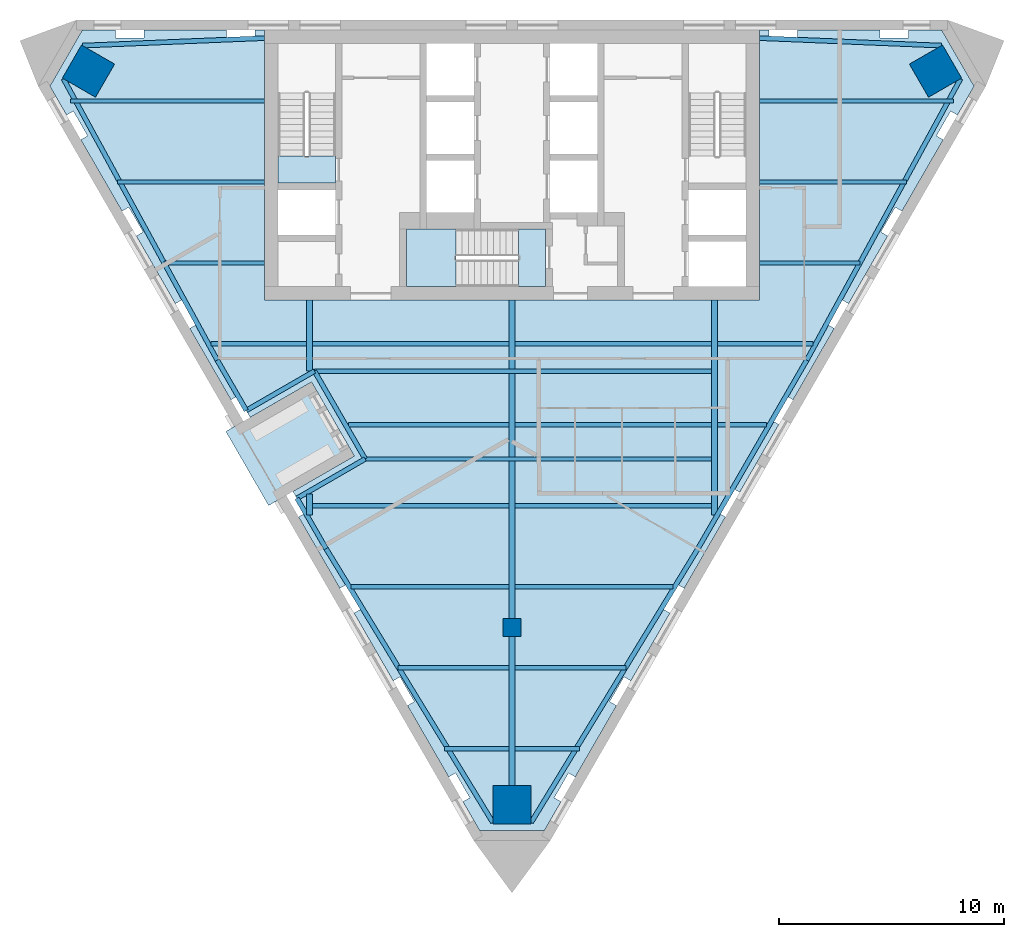
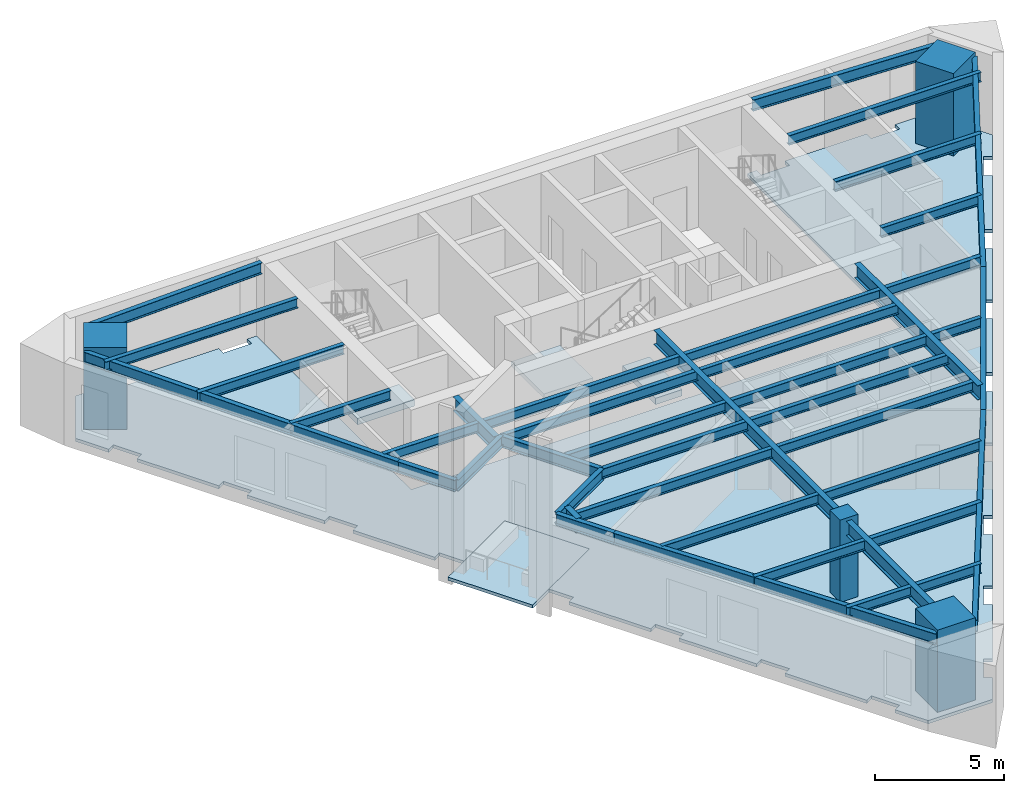
# One storey, part 1 of 6: 40 beams, 5 slabs, 4 columns, 1 element without a shape of its own.
"""IFC4 building model written with IfcOpenShell, lengths in metres."""

from ifc_helpers import new_model, si_unit, direction, frame, origin, origin_2d, place, context, subcontext, project, spatial, polyline, rectangle, i_section, outline, extrude, material, layer, layer_set, material_profile, profile_set, type_object, element, aggregate, save


model = new_model("IFC4")

# Units and contexts
model_context = context("Model", 3, precision=1e-05, world=origin(), true_north=direction((0.0, 1.0)))
body_context = subcontext(model_context, "Body", "Model", "MODEL_VIEW")
ifc_project = project(units=[si_unit("LENGTHUNIT", "METRE"), si_unit("AREAUNIT", "SQUARE_METRE"), si_unit("VOLUMEUNIT", "CUBIC_METRE"), si_unit("PLANEANGLEUNIT", "RADIAN"), si_unit("MASSUNIT", "GRAM", prefix="KILO")], contexts=[model_context])

# Site, building, storey
site_placement = place(None, origin())
site = spatial("IfcSite", under=ifc_project, at=site_placement, CompositionType="ELEMENT")
building_placement = place(site_placement, origin())
building = spatial("IfcBuilding", under=site, at=building_placement, Name="Aloe Facet Convention Tower", CompositionType="ELEMENT")
storey_placement = place(building_placement, frame((0.0, 0.0, 199.699951171875)))
storey = spatial("IfcBuildingStorey", under=building, at=storey_placement, Name="L50", CompositionType="ELEMENT", Elevation=199.699951171875)

# Columns
ifc_material_1 = material(Name="Concrete C70/85", Category="concrete")
ifc_material_profile_1 = material_profile(ifc_material_1, rectangle(XDim=0.800048828125, YDim=0.800048828125, at=origin_2d()), Name="SF-GC-Z4")
ifc_profile_set_1 = profile_set([ifc_material_profile_1], Name="Concrete C70/85")
column_type_1 = type_object("IfcColumnType", Name="SF-GC-Z4", PredefinedType="COLUMN", material=ifc_profile_set_1)
column_placement = place(storey_placement, frame((80.0, 108.0, 0.0), z_axis=(0.0, 0.0, 1.0), x_axis=(1.0, 0.0, 0.0)))
element("IfcColumn", 1, at=column_placement, inside=storey, type_object=column_type_1, Name="Gravity column GC-Z4-9D", PredefinedType="COLUMN", context=body_context, shape_type="SweptSolid", body=[
    extrude(rectangle(XDim=0.800048828125, YDim=0.800048828125, at=origin_2d()), origin(), (0.0, 0.0, 1.0), 3.900146484375),
])
ifc_material_2 = material(Name="Concrete C80/95", Category="concrete")
ifc_material_profile_2 = material_profile(ifc_material_2, rectangle(XDim=1.699951171875, YDim=1.699951171875, at=origin_2d()), Name="STW-MC-Z4")
ifc_profile_set_2 = profile_set([ifc_material_profile_2], Name="Concrete C80/95")
column_type_2 = type_object("IfcColumnType", Name="STW-MC-Z4", PredefinedType="COLUMN", material=ifc_profile_set_2)
for number, where, z_axis, x_axis, name in (
    (2, (98.828857421875, 132.727783203125, 0.0), (0.0, 0.0, 1.0), (-0.5, 0.866025403784, 0.0), "Mega-column MC-NE-L50"),
    (3, (61.171142578125, 132.727783203125, 0.0), (0.0, 0.0, 1.0), (-0.5, -0.866025403784, 0.0), "Mega-column MC-NW-L50"),
    (4, (80.0, 100.114990234375, 0.0), (0.0, 0.0, 1.0), (1.0, 0.0, 0.0), "Mega-column MC-S-L50"),
):
    element("IfcColumn", number, at=place(storey_placement, frame(where, z_axis=z_axis, x_axis=x_axis)), inside=storey, type_object=column_type_2, Name=name, PredefinedType="COLUMN", context=body_context, shape_type="SweptSolid", body=[
        extrude(rectangle(XDim=1.699951171875, YDim=1.699951171875, at=origin_2d()), origin(), (0.0, 0.0, 1.0), 3.900146484375),
    ])

# Beams
ifc_material_3 = material(Name="Steel S355", Category="steel")
ifc_material_profile_3 = material_profile(ifc_material_3, i_section(OverallWidth=0.19140625, OverallDepth=0.4599609375, WebThickness=0.010009765625, FlangeThickness=0.01611328125, FilletRadius=0.01025390625, at=origin_2d()), Name="UB 457x191x82")
ifc_profile_set_3 = profile_set([ifc_material_profile_3], Name="Steel S355")
beam_type_1 = type_object("IfcBeamType", Name="SF-B-UB457x191x82", PredefinedType="BEAM", material=ifc_profile_set_3)
beam_1_placement = place(storey_placement, frame((60.373779296875, 131.39990234375, 3.52001953125), z_axis=(1.0, 0.0, 0.0), x_axis=(0.0, 1.0, 0.0)))
element("IfcBeam", 5, at=beam_1_placement, inside=storey, type_object=beam_type_1, Name="Floor beam FB-Z4F-018", PredefinedType="BEAM", context=body_context, shape_type="SweptSolid", body=[
    extrude(i_section(OverallWidth=0.19140625, OverallDepth=0.4599609375, WebThickness=0.010009765625, FlangeThickness=0.01611328125, FilletRadius=0.01025390625, at=origin_2d()), origin(), (0.0, 0.0, 1.0), 8.626220703125),
])
beam_2_placement = place(storey_placement, frame((62.452392578125, 127.800048828125, 3.52001953125), z_axis=(1.0, 0.0, 0.0), x_axis=(0.0, 1.0, 0.0)))
element("IfcBeam", 6, at=beam_2_placement, inside=storey, type_object=beam_type_1, Name="Floor beam FB-Z4F-019", PredefinedType="BEAM", context=body_context, shape_type="SweptSolid", body=[
    extrude(i_section(OverallWidth=0.19140625, OverallDepth=0.4599609375, WebThickness=0.010009765625, FlangeThickness=0.01611328125, FilletRadius=0.01025390625, at=origin_2d()), origin(), (0.0, 0.0, 1.0), 6.547607421875),
])
beam_3_placement = place(storey_placement, frame((64.53076171875, 124.199951171875, 3.52001953125), z_axis=(1.0, 0.0, 0.0), x_axis=(0.0, 1.0, 0.0)))
element("IfcBeam", 7, at=beam_3_placement, inside=storey, type_object=beam_type_1, Name="Floor beam FB-Z4F-020", PredefinedType="BEAM", context=body_context, shape_type="SweptSolid", body=[
    extrude(i_section(OverallWidth=0.19140625, OverallDepth=0.4599609375, WebThickness=0.010009765625, FlangeThickness=0.01611328125, FilletRadius=0.01025390625, at=origin_2d()), origin(), (0.0, 0.0, 1.0), 4.46923828125),
])
beam_4_placement = place(storey_placement, frame((66.609130859375, 120.60009765625, 3.52001953125), z_axis=(1.0, 0.0, 0.0), x_axis=(0.0, 1.0, 0.0)))
element("IfcBeam", 8, at=beam_4_placement, inside=storey, type_object=beam_type_1, Name="Floor beam FB-Z4F-021", PredefinedType="BEAM", context=body_context, shape_type="SweptSolid", body=[
    extrude(i_section(OverallWidth=0.19140625, OverallDepth=0.4599609375, WebThickness=0.010009765625, FlangeThickness=0.01611328125, FilletRadius=0.01025390625, at=origin_2d()), origin(), (0.0, 0.0, 1.0), 4.264404296875),
])
for number, where, z_axis, x_axis, name in (
    (9, (71.12646484375, 113.39990234375, 3.52001953125), (1.0, 0.0, 0.0), (0.0, 1.0, 0.0), "Floor beam FB-Z4F-022"),
    (10, (71.12646484375, 120.60009765625, 3.52001953125), (1.0, 0.0, 0.0), (0.0, 1.0, 0.0), "Floor beam FB-Z4F-023"),
):
    element("IfcBeam", number, at=place(storey_placement, frame(where, z_axis=z_axis, x_axis=x_axis)), inside=storey, type_object=beam_type_1, Name=name, PredefinedType="BEAM", context=body_context, shape_type="SweptSolid", body=[
        extrude(i_section(OverallWidth=0.19140625, OverallDepth=0.4599609375, WebThickness=0.010009765625, FlangeThickness=0.01611328125, FilletRadius=0.01025390625, at=origin_2d()), origin(), (0.0, 0.0, 1.0), 8.7470703125),
    ])
beam_5_placement = place(storey_placement, frame((71.21826171875, 119.39013671875, 3.52001953125), z_axis=(1.0, 0.0, 0.0), x_axis=(0.0, 1.0, 0.0)))
element("IfcBeam", 11, at=beam_5_placement, inside=storey, type_object=beam_type_1, Name="Floor beam FB-Z4F-024", PredefinedType="BEAM", context=body_context, shape_type="SweptSolid", body=[
    extrude(i_section(OverallWidth=0.19140625, OverallDepth=0.4599609375, WebThickness=0.010009765625, FlangeThickness=0.01611328125, FilletRadius=0.01025390625, at=origin_2d()), origin(), (0.0, 0.0, 1.0), 17.78173828125),
])
beam_6_placement = place(storey_placement, frame((72.72900390625, 117.0, 3.52001953125), z_axis=(1.0, 0.0, 0.0), x_axis=(0.0, 1.0, 0.0)))
element("IfcBeam", 12, at=beam_6_placement, inside=storey, type_object=beam_type_1, Name="Floor beam FB-Z4F-025", PredefinedType="BEAM", context=body_context, shape_type="SweptSolid", body=[
    extrude(i_section(OverallWidth=0.19140625, OverallDepth=0.4599609375, WebThickness=0.010009765625, FlangeThickness=0.01611328125, FilletRadius=0.01025390625, at=origin_2d()), origin(), (0.0, 0.0, 1.0), 7.14453125),
])
beam_7_placement = place(storey_placement, frame((72.844482421875, 109.800048828125, 3.52001953125), z_axis=(1.0, 0.0, 0.0), x_axis=(0.0, 1.0, 0.0)))
element("IfcBeam", 13, at=beam_7_placement, inside=storey, type_object=beam_type_1, Name="Floor beam FB-Z4F-026", PredefinedType="BEAM", context=body_context, shape_type="SweptSolid", body=[
    extrude(i_section(OverallWidth=0.19140625, OverallDepth=0.4599609375, WebThickness=0.010009765625, FlangeThickness=0.01611328125, FilletRadius=0.01025390625, at=origin_2d()), origin(), (0.0, 0.0, 1.0), 7.029052734375),
])
beam_8_placement = place(storey_placement, frame((73.472900390625, 115.485107421875, 3.52001953125), z_axis=(1.0, 0.0, 0.0), x_axis=(0.0, 1.0, 0.0)))
element("IfcBeam", 14, at=beam_8_placement, inside=storey, type_object=beam_type_1, Name="Floor beam FB-Z4F-027", PredefinedType="BEAM", context=body_context, shape_type="SweptSolid", body=[
    extrude(i_section(OverallWidth=0.19140625, OverallDepth=0.4599609375, WebThickness=0.010009765625, FlangeThickness=0.01611328125, FilletRadius=0.01025390625, at=origin_2d()), origin(), (0.0, 0.0, 1.0), 15.527099609375),
])
beam_9_placement = place(storey_placement, frame((74.923095703125, 106.199951171875, 3.52001953125), z_axis=(1.0, 0.0, 0.0), x_axis=(0.0, 1.0, 0.0)))
element("IfcBeam", 15, at=beam_9_placement, inside=storey, type_object=beam_type_1, Name="Floor beam FB-Z4F-028", PredefinedType="BEAM", context=body_context, shape_type="SweptSolid", body=[
    extrude(i_section(OverallWidth=0.19140625, OverallDepth=0.4599609375, WebThickness=0.010009765625, FlangeThickness=0.01611328125, FilletRadius=0.01025390625, at=origin_2d()), origin(), (0.0, 0.0, 1.0), 4.950439453125),
])
for number, where, z_axis, x_axis, name in (
    (16, (77.00146484375, 102.60009765625, 3.52001953125), (1.0, 0.0, 0.0), (0.0, 1.0, 0.0), "Floor beam FB-Z4F-029"),
    (17, (80.12646484375, 102.60009765625, 3.52001953125), (1.0, 0.0, 0.0), (0.0, 1.0, 0.0), "Floor beam FB-Z4F-030"),
):
    element("IfcBeam", number, at=place(storey_placement, frame(where, z_axis=z_axis, x_axis=x_axis)), inside=storey, type_object=beam_type_1, Name=name, PredefinedType="BEAM", context=body_context, shape_type="SweptSolid", body=[
        extrude(i_section(OverallWidth=0.19140625, OverallDepth=0.4599609375, WebThickness=0.010009765625, FlangeThickness=0.01611328125, FilletRadius=0.01025390625, at=origin_2d()), origin(), (0.0, 0.0, 1.0), 2.8720703125),
    ])
beam_10_placement = place(storey_placement, frame((80.12646484375, 106.199951171875, 3.52001953125), z_axis=(1.0, 0.0, 0.0), x_axis=(0.0, 1.0, 0.0)))
element("IfcBeam", 18, at=beam_10_placement, inside=storey, type_object=beam_type_1, Name="Floor beam FB-Z4F-031", PredefinedType="BEAM", context=body_context, shape_type="SweptSolid", body=[
    extrude(i_section(OverallWidth=0.19140625, OverallDepth=0.4599609375, WebThickness=0.010009765625, FlangeThickness=0.01611328125, FilletRadius=0.01025390625, at=origin_2d()), origin(), (0.0, 0.0, 1.0), 4.950439453125),
])
beam_11_placement = place(storey_placement, frame((80.12646484375, 109.800048828125, 3.52001953125), z_axis=(1.0, 0.0, 0.0), x_axis=(0.0, 1.0, 0.0)))
element("IfcBeam", 19, at=beam_11_placement, inside=storey, type_object=beam_type_1, Name="Floor beam FB-Z4F-032", PredefinedType="BEAM", context=body_context, shape_type="SweptSolid", body=[
    extrude(i_section(OverallWidth=0.19140625, OverallDepth=0.4599609375, WebThickness=0.010009765625, FlangeThickness=0.01611328125, FilletRadius=0.01025390625, at=origin_2d()), origin(), (0.0, 0.0, 1.0), 7.029052734375),
])
for number, where, z_axis, x_axis, name in (
    (20, (80.12646484375, 113.39990234375, 3.52001953125), (1.0, 0.0, 0.0), (0.0, 1.0, 0.0), "Floor beam FB-Z4F-033"),
    (21, (80.12646484375, 117.0, 3.52001953125), (1.0, 0.0, 0.0), (0.0, 1.0, 0.0), "Floor beam FB-Z4F-034"),
    (22, (80.12646484375, 120.60009765625, 3.52001953125), (1.0, 0.0, 0.0), (0.0, 1.0, 0.0), "Floor beam FB-Z4F-035"),
):
    element("IfcBeam", number, at=place(storey_placement, frame(where, z_axis=z_axis, x_axis=x_axis)), inside=storey, type_object=beam_type_1, Name=name, PredefinedType="BEAM", context=body_context, shape_type="SweptSolid", body=[
        extrude(i_section(OverallWidth=0.19140625, OverallDepth=0.4599609375, WebThickness=0.010009765625, FlangeThickness=0.01611328125, FilletRadius=0.01025390625, at=origin_2d()), origin(), (0.0, 0.0, 1.0), 8.7470703125),
    ])
beam_12_placement = place(storey_placement, frame((89.12646484375, 117.0, 3.52001953125), z_axis=(1.0, 0.0, 0.0), x_axis=(0.0, 1.0, 0.0)))
element("IfcBeam", 23, at=beam_12_placement, inside=storey, type_object=beam_type_1, Name="Floor beam FB-Z4F-036", PredefinedType="BEAM", context=body_context, shape_type="SweptSolid", body=[
    extrude(i_section(OverallWidth=0.19140625, OverallDepth=0.4599609375, WebThickness=0.010009765625, FlangeThickness=0.01611328125, FilletRadius=0.01025390625, at=origin_2d()), origin(), (0.0, 0.0, 1.0), 2.185791015625),
])
beam_13_placement = place(storey_placement, frame((89.12646484375, 120.60009765625, 3.52001953125), z_axis=(1.0, 0.0, 0.0), x_axis=(0.0, 1.0, 0.0)))
element("IfcBeam", 24, at=beam_13_placement, inside=storey, type_object=beam_type_1, Name="Floor beam FB-Z4F-037", PredefinedType="BEAM", context=body_context, shape_type="SweptSolid", body=[
    extrude(i_section(OverallWidth=0.19140625, OverallDepth=0.4599609375, WebThickness=0.010009765625, FlangeThickness=0.01611328125, FilletRadius=0.01025390625, at=origin_2d()), origin(), (0.0, 0.0, 1.0), 4.264404296875),
])
beam_14_placement = place(storey_placement, frame((91.0, 124.199951171875, 3.52001953125), z_axis=(1.0, 0.0, 0.0), x_axis=(0.0, 1.0, 0.0)))
element("IfcBeam", 25, at=beam_14_placement, inside=storey, type_object=beam_type_1, Name="Floor beam FB-Z4F-038", PredefinedType="BEAM", context=body_context, shape_type="SweptSolid", body=[
    extrude(i_section(OverallWidth=0.19140625, OverallDepth=0.4599609375, WebThickness=0.010009765625, FlangeThickness=0.01611328125, FilletRadius=0.01025390625, at=origin_2d()), origin(), (0.0, 0.0, 1.0), 4.46923828125),
])
beam_15_placement = place(storey_placement, frame((91.0, 127.800048828125, 3.52001953125), z_axis=(1.0, 0.0, 0.0), x_axis=(0.0, 1.0, 0.0)))
element("IfcBeam", 26, at=beam_15_placement, inside=storey, type_object=beam_type_1, Name="Floor beam FB-Z4F-039", PredefinedType="BEAM", context=body_context, shape_type="SweptSolid", body=[
    extrude(i_section(OverallWidth=0.19140625, OverallDepth=0.4599609375, WebThickness=0.010009765625, FlangeThickness=0.01611328125, FilletRadius=0.01025390625, at=origin_2d()), origin(), (0.0, 0.0, 1.0), 6.547607421875),
])
beam_16_placement = place(storey_placement, frame((91.0, 131.39990234375, 3.52001953125), z_axis=(1.0, 0.0, 0.0), x_axis=(0.0, 1.0, 0.0)))
element("IfcBeam", 27, at=beam_16_placement, inside=storey, type_object=beam_type_1, Name="Floor beam FB-Z4F-040", PredefinedType="BEAM", context=body_context, shape_type="SweptSolid", body=[
    extrude(i_section(OverallWidth=0.19140625, OverallDepth=0.4599609375, WebThickness=0.010009765625, FlangeThickness=0.01611328125, FilletRadius=0.01025390625, at=origin_2d()), origin(), (0.0, 0.0, 1.0), 8.626220703125),
])
ifc_material_4 = material(Name="Steel S355", Category="steel")
ifc_material_profile_4 = material_profile(ifc_material_4, i_section(OverallWidth=0.209228515625, OverallDepth=0.533203125, WebThickness=0.010009765625, FlangeThickness=0.015625, FilletRadius=0.0126953125, at=origin_2d()), Name="UB 533x210x92")
ifc_profile_set_4 = profile_set([ifc_material_profile_4], Name="Steel S355")
beam_type_2 = type_object("IfcBeamType", Name="SF-B-UB533x210x92", PredefinedType="BEAM", material=ifc_profile_set_4)
beam_17_placement = place(storey_placement, frame((60.9072265625, 133.861572265625, 3.4833984375), z_axis=(0.999150743543, 0.041204267721, 0.0), x_axis=(-0.041204267721, 0.999150743543, 0.0)))
element("IfcBeam", 28, at=beam_17_placement, inside=storey, type_object=beam_type_2, Name="Floor beam FB-Z4F-001", PredefinedType="BEAM", context=body_context, shape_type="SweptSolid", body=[
    extrude(i_section(OverallWidth=0.209228515625, OverallDepth=0.533203125, WebThickness=0.010009765625, FlangeThickness=0.015625, FilletRadius=0.0126953125, at=origin_2d()), origin(), (0.0, 0.0, 1.0), 8.099609375),
])
beam_18_placement = place(storey_placement, frame((66.89404296875, 119.880126953125, 3.4833984375), z_axis=(-0.479591097698, 0.877492096266, 0.0), x_axis=(-0.877492096266, -0.479591097698, 0.0)))
element("IfcBeam", 29, at=beam_18_placement, inside=storey, type_object=beam_type_2, Name="Floor beam FB-Z4F-002", PredefinedType="BEAM", context=body_context, shape_type="SweptSolid", body=[
    extrude(i_section(OverallWidth=0.209228515625, OverallDepth=0.533203125, WebThickness=0.010009765625, FlangeThickness=0.015625, FilletRadius=0.0126953125, at=origin_2d()), origin(), (0.0, 0.0, 1.0), 14.255615234375),
])
beam_19_placement = place(storey_placement, frame((68.187255859375, 117.64013671875, 3.4833984375), z_axis=(-0.499986639918, 0.866033117094, 0.0), x_axis=(-0.866033117094, -0.499986639918, 0.0)))
element("IfcBeam", 30, at=beam_19_placement, inside=storey, type_object=beam_type_2, Name="Floor beam FB-Z4F-003", PredefinedType="BEAM", context=body_context, shape_type="SweptSolid", body=[
    extrude(i_section(OverallWidth=0.209228515625, OverallDepth=0.533203125, WebThickness=0.010009765625, FlangeThickness=0.015625, FilletRadius=0.0126953125, at=origin_2d()), origin(), (0.0, 0.0, 1.0), 2.58642578125),
])
for number, where, z_axis, x_axis, name in (
    (31, (70.44189453125, 113.735107421875, 3.4833984375), (0.866019471182, 0.500010275428, 0.0), (-0.500010275428, 0.866019471182, 0.0), "Floor beam FB-Z4F-004"),
    (32, (71.21826171875, 119.39013671875, 3.4833984375), (-0.866019471182, -0.500010275428, 0.0), (0.500010275428, -0.866019471182, 0.0), "Floor beam FB-Z4F-005"),
):
    element("IfcBeam", number, at=place(storey_placement, frame(where, z_axis=z_axis, x_axis=x_axis)), inside=storey, type_object=beam_type_2, Name=name, PredefinedType="BEAM", context=body_context, shape_type="SweptSolid", body=[
        extrude(i_section(OverallWidth=0.209228515625, OverallDepth=0.533203125, WebThickness=0.010009765625, FlangeThickness=0.015625, FilletRadius=0.0126953125, at=origin_2d()), origin(), (0.0, 0.0, 1.0), 3.5),
    ])
beam_20_placement = place(storey_placement, frame((71.735107421875, 111.4951171875, 3.4833984375), z_axis=(-0.499986639918, 0.866033117094, 0.0), x_axis=(-0.866033117094, -0.499986639918, 0.0)))
element("IfcBeam", 33, at=beam_20_placement, inside=storey, type_object=beam_type_2, Name="Floor beam FB-Z4F-006", PredefinedType="BEAM", context=body_context, shape_type="SweptSolid", body=[
    extrude(i_section(OverallWidth=0.209228515625, OverallDepth=0.533203125, WebThickness=0.010009765625, FlangeThickness=0.015625, FilletRadius=0.0126953125, at=origin_2d()), origin(), (0.0, 0.0, 1.0), 2.58642578125),
])
beam_21_placement = place(storey_placement, frame((73.472900390625, 115.485107421875, 3.4833984375), z_axis=(-0.500011469263, 0.866018781901, 0.0), x_axis=(-0.866018781901, -0.500011469263, 0.0)))
element("IfcBeam", 34, at=beam_21_placement, inside=storey, type_object=beam_type_2, Name="Floor beam FB-Z4F-007", PredefinedType="BEAM", context=body_context, shape_type="SweptSolid", body=[
    extrude(i_section(OverallWidth=0.209228515625, OverallDepth=0.533203125, WebThickness=0.010009765625, FlangeThickness=0.015625, FilletRadius=0.0126953125, at=origin_2d()), origin(), (0.0, 0.0, 1.0), 4.50927734375),
])
for number, where, z_axis, x_axis, name in (
    (35, (79.14990234375, 99.319580078125, 3.4833984375), (-0.520131115149, 0.854086425986, 0.0), (-0.854086425986, -0.520131115149, 0.0), "Floor beam FB-Z4F-008"),
    (36, (88.264892578125, 111.4951171875, 3.4833984375), (-0.520131115149, -0.854086425986, 0.0), (0.854086425986, -0.520131115149, 0.0), "Floor beam FB-Z4F-009"),
):
    element("IfcBeam", number, at=place(storey_placement, frame(where, z_axis=z_axis, x_axis=x_axis)), inside=storey, type_object=beam_type_2, Name=name, PredefinedType="BEAM", context=body_context, shape_type="SweptSolid", body=[
        extrude(i_section(OverallWidth=0.209228515625, OverallDepth=0.533203125, WebThickness=0.010009765625, FlangeThickness=0.015625, FilletRadius=0.0126953125, at=origin_2d()), origin(), (0.0, 0.0, 1.0), 14.255615234375),
    ])
beam_22_placement = place(storey_placement, frame((91.0, 134.1953125, 3.4833984375), z_axis=(0.999150743543, -0.041204267721, 0.0), x_axis=(0.041204267721, 0.999150743543, 0.0)))
element("IfcBeam", 37, at=beam_22_placement, inside=storey, type_object=beam_type_2, Name="Floor beam FB-Z4F-010", PredefinedType="BEAM", context=body_context, shape_type="SweptSolid", body=[
    extrude(i_section(OverallWidth=0.209228515625, OverallDepth=0.533203125, WebThickness=0.010009765625, FlangeThickness=0.015625, FilletRadius=0.0126953125, at=origin_2d()), origin(), (0.0, 0.0, 1.0), 8.099609375),
])
beam_23_placement = place(storey_placement, frame((93.10595703125, 119.880126953125, 3.4833984375), z_axis=(-0.499998203483, -0.866026441002, 0.0), x_axis=(0.866026441002, -0.499998203483, 0.0)))
element("IfcBeam", 38, at=beam_23_placement, inside=storey, type_object=beam_type_2, Name="Floor beam FB-Z4F-011", PredefinedType="BEAM", context=body_context, shape_type="SweptSolid", body=[
    extrude(i_section(OverallWidth=0.209228515625, OverallDepth=0.533203125, WebThickness=0.010009765625, FlangeThickness=0.015625, FilletRadius=0.0126953125, at=origin_2d()), origin(), (0.0, 0.0, 1.0), 9.68212890625),
])
beam_24_placement = place(storey_placement, frame((99.94287109375, 132.389404296875, 3.4833984375), z_axis=(-0.479591097698, -0.877492096266, 0.0), x_axis=(0.877492096266, -0.479591097698, 0.0)))
element("IfcBeam", 39, at=beam_24_placement, inside=storey, type_object=beam_type_2, Name="Floor beam FB-Z4F-012", PredefinedType="BEAM", context=body_context, shape_type="SweptSolid", body=[
    extrude(i_section(OverallWidth=0.209228515625, OverallDepth=0.533203125, WebThickness=0.010009765625, FlangeThickness=0.015625, FilletRadius=0.0126953125, at=origin_2d()), origin(), (0.0, 0.0, 1.0), 14.255615234375),
])
ifc_material_5 = material(Name="Steel S355", Category="steel")
ifc_material_profile_5 = material_profile(ifc_material_5, i_section(OverallWidth=0.2529296875, OverallDepth=0.677978515625, WebThickness=0.01171875, FlangeThickness=0.01611328125, FilletRadius=0.01513671875, at=origin_2d()), Name="UB 686x254x125")
ifc_profile_set_5 = profile_set([ifc_material_profile_5], Name="Steel S355")
beam_type_3 = type_object("IfcBeamType", Name="SF-B-UB686x254x125", PredefinedType="BEAM", material=ifc_profile_set_5)
beam_25_placement = place(storey_placement, frame((71.0, 113.926513671875, 3.4111328125), z_axis=(0.0, -1.0, 0.0), x_axis=(1.0, 0.0, 0.0)))
element("IfcBeam", 40, at=beam_25_placement, inside=storey, type_object=beam_type_3, Name="Floor beam FB-Z4F-013", PredefinedType="BEAM", context=body_context, shape_type="SweptSolid", body=[
    extrude(i_section(OverallWidth=0.2529296875, OverallDepth=0.677978515625, WebThickness=0.01171875, FlangeThickness=0.01611328125, FilletRadius=0.01513671875, at=origin_2d()), origin(), (0.0, 0.0, 1.0), 0.93896484375),
])
beam_26_placement = place(storey_placement, frame((71.0, 122.550048828125, 3.4111328125), z_axis=(0.0, -1.0, 0.0), x_axis=(1.0, 0.0, 0.0)))
element("IfcBeam", 41, at=beam_26_placement, inside=storey, type_object=beam_type_3, Name="Floor beam FB-Z4F-014", PredefinedType="BEAM", context=body_context, shape_type="SweptSolid", body=[
    extrude(i_section(OverallWidth=0.2529296875, OverallDepth=0.677978515625, WebThickness=0.01171875, FlangeThickness=0.01611328125, FilletRadius=0.01513671875, at=origin_2d()), origin(), (0.0, 0.0, 1.0), 3.155029296875),
])
beam_27_placement = place(storey_placement, frame((80.0, 107.60009765625, 3.4111328125), z_axis=(0.0, -1.0, 0.0), x_axis=(1.0, 0.0, 0.0)))
element("IfcBeam", 42, at=beam_27_placement, inside=storey, type_object=beam_type_3, Name="Floor beam FB-Z4F-015", PredefinedType="BEAM", context=body_context, shape_type="SweptSolid", body=[
    extrude(i_section(OverallWidth=0.2529296875, OverallDepth=0.677978515625, WebThickness=0.01171875, FlangeThickness=0.01611328125, FilletRadius=0.01513671875, at=origin_2d()), origin(), (0.0, 0.0, 1.0), 8.165771484375),
])
beam_28_placement = place(storey_placement, frame((80.0, 122.550048828125, 3.4111328125), z_axis=(0.0, -1.0, 0.0), x_axis=(1.0, 0.0, 0.0)))
element("IfcBeam", 43, at=beam_28_placement, inside=storey, type_object=beam_type_3, Name="Floor beam FB-Z4F-016", PredefinedType="BEAM", context=body_context, shape_type="SweptSolid", body=[
    extrude(i_section(OverallWidth=0.2529296875, OverallDepth=0.677978515625, WebThickness=0.01171875, FlangeThickness=0.01611328125, FilletRadius=0.01513671875, at=origin_2d()), origin(), (0.0, 0.0, 1.0), 14.150146484375),
])
beam_29_placement = place(storey_placement, frame((89.0, 122.550048828125, 3.4111328125), z_axis=(0.0, -1.0, 0.0), x_axis=(1.0, 0.0, 0.0)))
element("IfcBeam", 44, at=beam_29_placement, inside=storey, type_object=beam_type_3, Name="Floor beam FB-Z4F-017", PredefinedType="BEAM", context=body_context, shape_type="SweptSolid", body=[
    extrude(i_section(OverallWidth=0.2529296875, OverallDepth=0.677978515625, WebThickness=0.01171875, FlangeThickness=0.01611328125, FilletRadius=0.01513671875, at=origin_2d()), origin(), (0.0, 0.0, 1.0), 9.5625),
])

# Slabs
ifc_material_6 = material(Name="Concrete C50/60", Category="concrete")
ifc_layer_1 = layer(ifc_material_6, 0.300048828125)
ifc_layer_set_1 = layer_set([ifc_layer_1], Name="CR-S-FLOOR300-C5060")
slab_type_1 = type_object("IfcSlabType", Name="CR-S-FLOOR300-C5060", PredefinedType="FLOOR", material=ifc_layer_set_1)
slab_1_placement = place(storey_placement, frame((0.0, 0.0, -0.300048828125)))
element("IfcSlab", 45, at=slab_1_placement, inside=storey, type_object=slab_type_1, Name="Stair landing floor L50", PredefinedType="FLOOR", context=body_context, shape_type="SweptSolid", body=[
    extrude(outline(polyline([(72.14990234375, 127.75), (72.14990234375, 128.951171875), (69.60009765625, 128.951171875), (69.60009765625, 127.75), (72.14990234375, 127.75)])), origin(), (0.0, 0.0, 1.0), 0.300048828125),
])
slab_2_placement = place(storey_placement, frame((0.0, 0.0, -0.300048828125)))
element("IfcSlab", 46, at=slab_2_placement, inside=storey, type_object=slab_type_1, Name="Stair landing floor L50", PredefinedType="FLOOR", context=body_context, shape_type="SweptSolid", body=[
    extrude(outline(polyline([(81.5, 125.699951171875), (80.298828125, 125.699951171875), (80.298828125, 123.14990234375), (81.5, 123.14990234375), (81.5, 125.699951171875)])), origin(), (0.0, 0.0, 1.0), 0.300048828125),
])

# Stair, slab
ifc_material_7 = material(Name="Concrete C50/60", Category="concrete")
stair_type = type_object("IfcStairType", Name="CR-ST-22R", PredefinedType="HALF_TURN_STAIR", material=ifc_material_7)
stair_placement = place(storey_placement, origin())
stair = element("IfcStair", 47, at=stair_placement, inside=storey, type_object=stair_type, Name="L50 Protected exit stair ST3", PredefinedType="HALF_TURN_STAIR")
ifc_material_8 = material(Name="Concrete C50/60", Category="concrete")
ifc_layer_2 = layer(ifc_material_8, 0.199951171875)
ifc_layer_set_2 = layer_set([ifc_layer_2], Name="CR-SL-LANDING")
slab_type_2 = type_object("IfcSlabType", Name="CR-SL-LANDING", PredefinedType="LANDING", material=ifc_layer_set_2)
slab_3_placement = place(storey_placement, frame((0.0, 0.0, 1.75)))
slab_3 = element("IfcSlab", 48, at=slab_3_placement, type_object=slab_type_2, Name="ST3 landing 1", PredefinedType="LANDING", context=body_context, shape_type="SweptSolid", body=[
    extrude(outline(polyline([(77.5, 125.699951171875), (75.300048828125, 125.699951171875), (75.300048828125, 123.14990234375), (77.5, 123.14990234375), (77.5, 125.699951171875)])), origin(), (0.0, 0.0, 1.0), 0.199951171875),
])
aggregate(stair, [slab_3])

# Slabs
ifc_material_9 = material(Name="Concrete C35/45", Category="concrete")
ifc_layer_3 = layer(ifc_material_9, 0.14990234375)
ifc_layer_set_3 = layer_set([ifc_layer_3], Name="SF-FS-150")
slab_type_3 = type_object("IfcSlabType", Name="SF-FS-150", PredefinedType="FLOOR", material=ifc_layer_set_3)
slab_4_placement = place(storey_placement, frame((0.0, 0.0, -0.14990234375)))
element("IfcSlab", 49, at=slab_4_placement, inside=storey, type_object=slab_type_3, Name="Floor slab L50-1", PredefinedType="FLOOR", context=body_context, shape_type="SweptSolid", body=[
    extrude(outline(polyline([(65.6708984375, 121.28955078125), (65.973876953125, 121.464599609375), (65.3388671875, 122.564453125), (65.03564453125, 122.389404296875), (63.296630859375, 125.4013671875), (63.599853515625, 125.576416015625), (62.96484375, 126.67626953125), (62.66162109375, 126.501220703125), (60.82958984375, 129.674560546875), (61.1328125, 129.849609375), (60.497802734375, 130.949462890625), (60.194580078125, 130.7744140625), (59.455078125, 132.055419921875), (60.895263671875, 134.550048828125), (62.37451171875, 134.550048828125), (62.37451171875, 134.199951171875), (63.644287109375, 134.199951171875), (63.644287109375, 134.550048828125), (67.30859375, 134.550048828125), (67.30859375, 134.199951171875), (68.57861328125, 134.199951171875), (68.57861328125, 134.550048828125), (69.0, 134.550048828125), (69.0, 128.050048828125), (69.0, 127.14990234375), (69.0, 125.75), (69.0, 124.85009765625), (69.0, 122.550048828125), (71.85009765625, 122.550048828125), (72.75, 122.550048828125), (74.699951171875, 122.550048828125), (75.60009765625, 122.550048828125), (81.199951171875, 122.550048828125), (82.10009765625, 122.550048828125), (84.39990234375, 122.550048828125), (85.300048828125, 122.550048828125), (87.25, 122.550048828125), (88.14990234375, 122.550048828125), (91.0, 122.550048828125), (91.0, 124.85009765625), (91.0, 125.75), (91.0, 127.14990234375), (91.0, 128.050048828125), (91.0, 134.550048828125), (91.42138671875, 134.550048828125), (91.42138671875, 134.199951171875), (92.69140625, 134.199951171875), (92.69140625, 134.550048828125), (96.355712890625, 134.550048828125), (96.355712890625, 134.199951171875), (97.62548828125, 134.199951171875), (97.62548828125, 134.550048828125), (99.104736328125, 134.550048828125), (100.544921875, 132.055419921875), (99.805419921875, 130.7744140625), (99.502197265625, 130.949462890625), (98.8671875, 129.849609375), (99.17041015625, 129.674560546875), (97.33837890625, 126.501220703125), (97.03515625, 126.67626953125), (96.400146484375, 125.576416015625), (96.703369140625, 125.4013671875), (94.96435546875, 122.389404296875), (94.6611328125, 122.564453125), (94.026123046875, 121.464599609375), (94.3291015625, 121.28955078125), (92.4970703125, 118.1162109375), (92.194091796875, 118.291259765625), (91.55908203125, 117.19140625), (91.862060546875, 117.016357421875), (90.123046875, 114.004150390625), (89.820068359375, 114.17919921875), (89.18505859375, 113.079345703125), (89.488037109375, 112.904296875), (87.656005859375, 109.731201171875), (87.352783203125, 109.906005859375), (86.7177734375, 108.80615234375), (87.02099609375, 108.631103515625), (85.281982421875, 105.619140625), (84.978759765625, 105.794189453125), (84.34375, 104.694091796875), (84.64697265625, 104.519287109375), (82.814697265625, 101.345947265625), (82.51171875, 101.52099609375), (81.876708984375, 100.4208984375), (82.1796875, 100.24609375), (81.440185546875, 98.965087890625), (78.559814453125, 98.965087890625), (77.8203125, 100.24609375), (78.123291015625, 100.4208984375), (77.48828125, 101.52099609375), (77.185302734375, 101.345947265625), (75.35302734375, 104.519287109375), (75.65625, 104.694091796875), (75.021240234375, 105.794189453125), (74.718017578125, 105.619140625), (72.97900390625, 108.631103515625), (73.2822265625, 108.80615234375), (72.647216796875, 109.906005859375), (72.343994140625, 109.731201171875), (70.511962890625, 112.904296875), (70.81494140625, 113.079345703125), (70.260498046875, 114.039794921875), (72.988525390625, 115.61474609375), (71.08837890625, 118.90576171875), (68.360595703125, 117.330810546875), (67.805908203125, 118.291259765625), (67.5029296875, 118.1162109375), (65.6708984375, 121.28955078125)]), holes=[polyline([(80.85009765625, 99.264892578125), (80.85009765625, 100.965087890625), (79.14990234375, 100.965087890625), (79.14990234375, 99.264892578125), (80.85009765625, 99.264892578125)]), polyline([(60.85986328125, 133.888916015625), (60.010009765625, 132.41650390625), (61.482177734375, 131.566650390625), (62.33203125, 133.038818359375), (60.85986328125, 133.888916015625)]), polyline([(80.39990234375, 107.60009765625), (80.39990234375, 108.39990234375), (79.60009765625, 108.39990234375), (79.60009765625, 107.60009765625), (80.39990234375, 107.60009765625)]), polyline([(99.989990234375, 132.41650390625), (99.14013671875, 133.888916015625), (97.66796875, 133.038818359375), (98.517822265625, 131.566650390625), (99.989990234375, 132.41650390625)])]), origin(), (0.0, 0.0, 1.0), 0.14990234375),
])
ifc_material_10 = material(Name="Concrete C35/45", Category="concrete")
ifc_layer_4 = layer(ifc_material_10, 0.14990234375)
ifc_layer_set_4 = layer_set([ifc_layer_4], Name="SF-TS-150")
slab_type_4 = type_object("IfcSlabType", Name="SF-TS-150", PredefinedType="FLOOR", material=ifc_layer_set_4)
slab_5_placement = place(storey_placement, frame((0.0, 0.0, -0.14990234375)))
element("IfcSlab", 50, at=slab_5_placement, inside=storey, type_object=slab_type_4, Name="Terrace slab T11", PredefinedType="FLOOR", context=body_context, shape_type="SweptSolid", body=[
    extrude(outline(polyline([(67.278076171875, 116.705810546875), (71.08837890625, 118.90576171875), (72.988525390625, 115.61474609375), (69.177978515625, 113.414794921875), (67.278076171875, 116.705810546875)])), origin(), (0.0, 0.0, 1.0), 0.14990234375),
])

save(model, "model.ifc")
